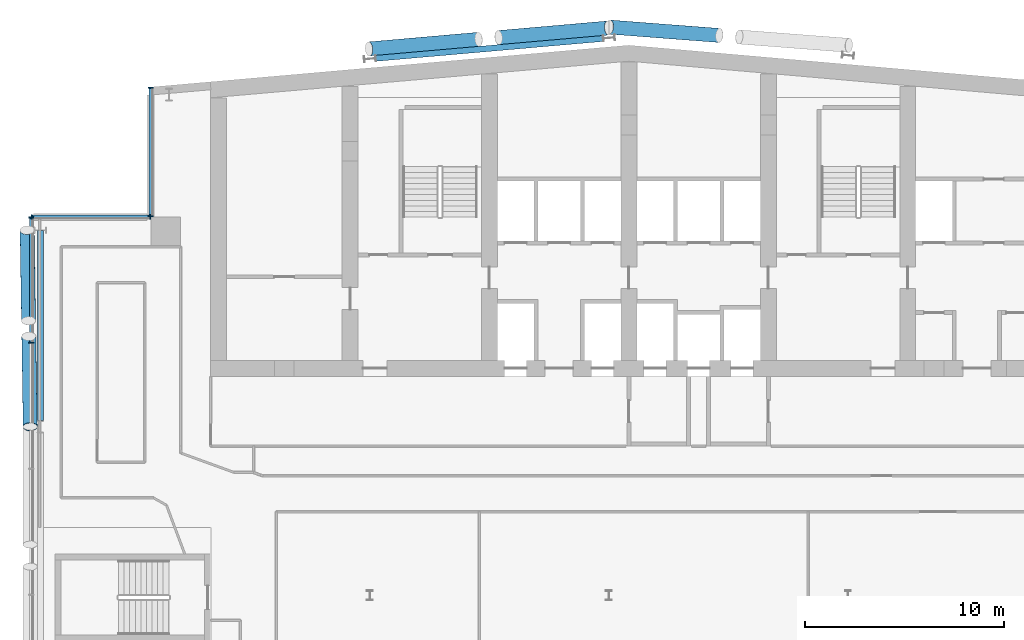
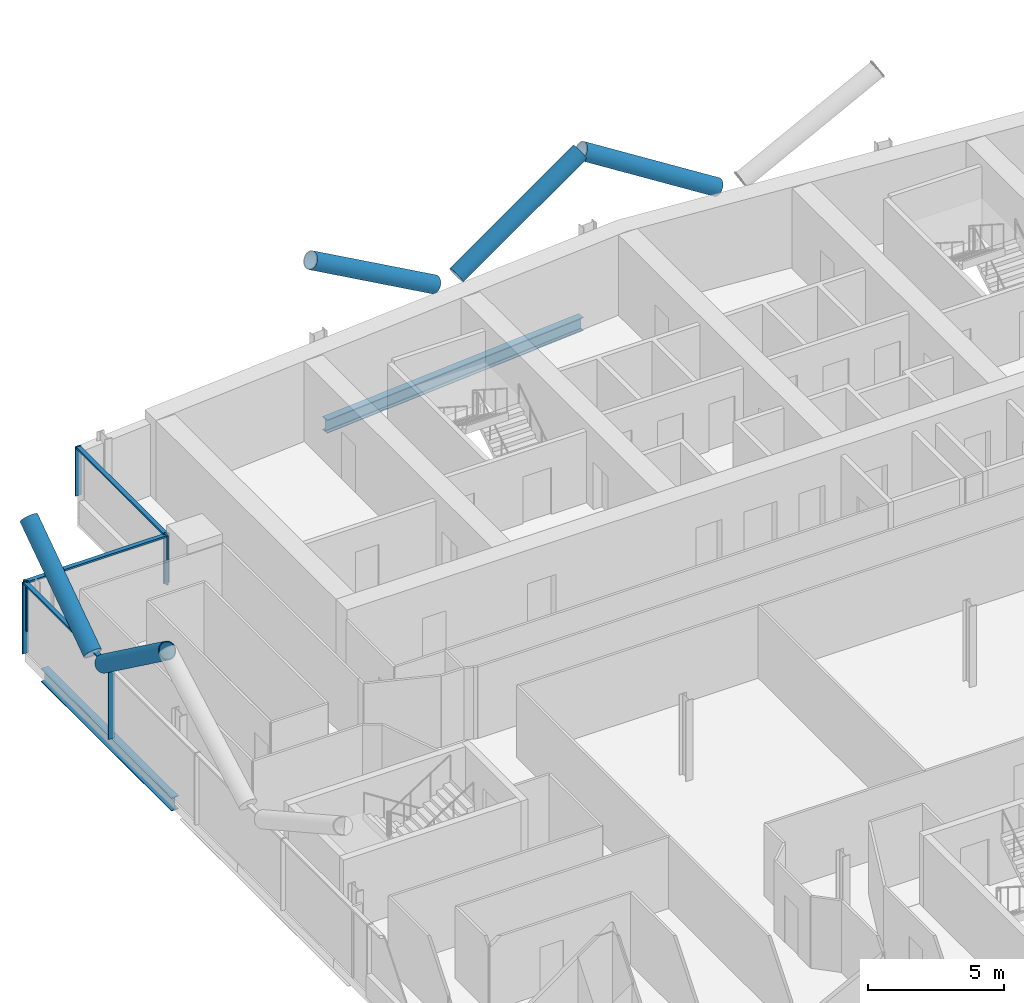
# One storey, part 9 of 28: 14 members, 2 beams, 3 elements without a shape of their own.
"""IFC4 building model written with IfcOpenShell, lengths in metres."""

from ifc_helpers import new_model, si_unit, direction, frame, origin, origin_2d, place, context, subcontext, project, spatial, rectangle, hollow_circle, i_section, extrude, material, material_profile, profile_set, type_object, element, aggregate, save


model = new_model("IFC4")

# Units and contexts
model_context = context("Model", 3, precision=1e-05, world=origin(), true_north=direction((0.0, 1.0)))
body_context = subcontext(model_context, "Body", "Model", "MODEL_VIEW")
ifc_project = project(units=[si_unit("LENGTHUNIT", "METRE"), si_unit("AREAUNIT", "SQUARE_METRE"), si_unit("VOLUMEUNIT", "CUBIC_METRE"), si_unit("PLANEANGLEUNIT", "RADIAN"), si_unit("MASSUNIT", "GRAM", prefix="KILO")], contexts=[model_context])

# Site, building, storey
site_placement = place(None, origin())
site = spatial("IfcSite", under=ifc_project, at=site_placement, CompositionType="ELEMENT")
building_placement = place(site_placement, origin())
building = spatial("IfcBuilding", under=site, at=building_placement, Name="Wharfspan Tower", CompositionType="ELEMENT")
storey_placement = place(building_placement, frame((0.0, 0.0, 187.899902)))
storey = spatial("IfcBuildingStorey", under=building, at=storey_placement, Name="L46", CompositionType="ELEMENT", Elevation=187.899902)

# Beams
ifc_material_1 = material(Name="Steel S355J2", Category="steel")
ifc_material_profile_1 = material_profile(ifc_material_1, i_section(OverallWidth=0.300049, OverallDepth=0.600098, WebThickness=0.015381, FlangeThickness=0.030029, FilletRadius=0.0271, at=origin_2d()))
ifc_profile_set_1 = profile_set([ifc_material_profile_1], Name="Steel S355J2")
beam_type = type_object("IfcBeamType", Name="Edge beam HEB 600", PredefinedType="SPANDREL", material=ifc_profile_set_1)
beam_1_placement = place(storey_placement, frame((35.705078, 50.961426, -0.699951), z_axis=(-0.996194, -0.087158, 0.0), x_axis=(0.087158, -0.996194, 0.0)))
element("IfcBeam", 1, at=beam_1_placement, inside=storey, type_object=beam_type, Name="Edge beam N1 L46 R.2 to R.1", PredefinedType="SPANDREL", context=body_context, shape_type="SweptSolid", body=[
    extrude(i_section(OverallWidth=0.300049, OverallDepth=0.600098, WebThickness=0.015381, FlangeThickness=0.030029, FilletRadius=0.0271, at=origin_2d()), origin(), (0.0, 0.0, 1.0), 11.453857),
])
beam_2_placement = place(storey_placement, frame((7.450439, 41.32666, -0.699951), z_axis=(-5.1e-05, -1.0, 0.0), x_axis=(1.0, -5.1e-05, 0.0)))
element("IfcBeam", 2, at=beam_2_placement, inside=storey, type_object=beam_type, Name="Edge beam W L46 PNRW-H.1 to PW.1", PredefinedType="SPANDREL", context=body_context, shape_type="SweptSolid", body=[
    extrude(i_section(OverallWidth=0.300049, OverallDepth=0.600098, WebThickness=0.015381, FlangeThickness=0.030029, FilletRadius=0.0271, at=origin_2d()), origin(), (0.0, 0.0, 1.0), 9.553955),
])

# Curtain wall, members
ifc_material_2 = material(Name="Aluminium 6063-T6", Category="aluminium")
curtain_wall_type = type_object("IfcCurtainWallType", Name="CURTAIN WALL PROW AND END", PredefinedType="NOTDEFINED", material=ifc_material_2)
curtain_wall_1_placement = place(storey_placement, origin())
curtain_wall_1 = element("IfcCurtainWall", 3, at=curtain_wall_1_placement, inside=storey, type_object=curtain_wall_type, Name="Curtain wall NRW-V", PredefinedType="NOTDEFINED")
ifc_material_profile_2 = material_profile(ifc_material_2, rectangle(XDim=0.23999, YDim=0.060059, at=origin_2d()))
ifc_profile_set_2 = profile_set([ifc_material_profile_2], Name="Aluminium 6063-T6")
member_type_1 = type_object("IfcMemberType", Name="MULLION PROW AND END 60x240", PredefinedType="MULLION", material=ifc_profile_set_2)
member_1_placement = place(storey_placement, frame((13.0, 48.494873, 1.0), z_axis=(0.0, 0.0, 1.0), x_axis=(1.0, 0.0, 0.0)))
member_1 = element("IfcMember", 4, at=member_1_placement, type_object=member_type_1, Name="Curtain wall NRW-V mullion 1", PredefinedType="MULLION", context=body_context, shape_type="SweptSolid", body=[
    extrude(rectangle(XDim=0.23999, YDim=0.060059, at=origin_2d()), origin(), (0.0, 0.0, 1.0), 2.200195),
])
member_2_placement = place(storey_placement, frame((13.0, 42.030029, 1.0), z_axis=(0.0, 0.0, 1.0), x_axis=(1.0, 0.0, 0.0)))
member_2 = element("IfcMember", 5, at=member_2_placement, type_object=member_type_1, Name="Curtain wall NRW-V mullion 2", PredefinedType="MULLION", context=body_context, shape_type="SweptSolid", body=[
    extrude(rectangle(XDim=0.23999, YDim=0.060059, at=origin_2d()), origin(), (0.0, 0.0, 1.0), 2.200195),
])

curtain_wall_2_placement = place(storey_placement, origin())
curtain_wall_2 = element("IfcCurtainWall", 6, at=curtain_wall_2_placement, inside=storey, type_object=curtain_wall_type, Name="Curtain wall NRW-H", PredefinedType="NOTDEFINED")
member_3_placement = place(storey_placement, frame((12.969971, 42.0, 1.0), z_axis=(0.0, 0.0, 1.0), x_axis=(0.0, -1.0, 0.0)))
member_3 = element("IfcMember", 7, at=member_3_placement, type_object=member_type_1, Name="Curtain wall NRW-H mullion 1", PredefinedType="MULLION", context=body_context, shape_type="SweptSolid", body=[
    extrude(rectangle(XDim=0.23999, YDim=0.060059, at=origin_2d()), origin(), (0.0, 0.0, 1.0), 2.200195),
])
member_4_placement = place(storey_placement, frame((7.030029, 42.0, 1.0), z_axis=(0.0, 0.0, 1.0), x_axis=(0.0, -1.0, 0.0)))
member_4 = element("IfcMember", 8, at=member_4_placement, type_object=member_type_1, Name="Curtain wall NRW-H mullion 2", PredefinedType="MULLION", context=body_context, shape_type="SweptSolid", body=[
    extrude(rectangle(XDim=0.23999, YDim=0.060059, at=origin_2d()), origin(), (0.0, 0.0, 1.0), 2.200195),
])

curtain_wall_3_placement = place(storey_placement, origin())
curtain_wall_3 = element("IfcCurtainWall", 9, at=curtain_wall_3_placement, inside=storey, type_object=curtain_wall_type, Name="Curtain wall W", PredefinedType="NOTDEFINED")
member_5_placement = place(storey_placement, frame((7.0, 41.969971, 0.0), z_axis=(0.0, 0.0, 1.0), x_axis=(1.0, 0.0, 0.0)))
member_5 = element("IfcMember", 10, at=member_5_placement, type_object=member_type_1, Name="Curtain wall W mullion 1", PredefinedType="MULLION", context=body_context, shape_type="SweptSolid", body=[
    extrude(rectangle(XDim=0.23999, YDim=0.060059, at=origin_2d()), origin(), (0.0, 0.0, 1.0), 3.200195),
])
member_6_placement = place(storey_placement, frame((7.0, 35.679932, 0.0), z_axis=(0.0, 0.0, 1.0), x_axis=(1.0, 0.0, 0.0)))
member_6 = element("IfcMember", 11, at=member_6_placement, type_object=member_type_1, Name="Curtain wall W mullion 2", PredefinedType="MULLION", context=body_context, shape_type="SweptSolid", body=[
    extrude(rectangle(XDim=0.23999, YDim=0.060059, at=origin_2d()), origin(), (0.0, 0.0, 1.0), 3.200195),
])

# Members
ifc_material_3 = material(Name="Steel S460NH", Category="steel")
ifc_material_profile_3 = material_profile(ifc_material_3, hollow_circle(Radius=0.355469, WallThickness=0.035889, at=origin_2d()))
ifc_profile_set_3 = profile_set([ifc_material_profile_3], Name="Steel S460NH")
member_type_2 = type_object("IfcMemberType", Name="Mega brace CHS 711x36", PredefinedType="BRACE", material=ifc_profile_set_3)
member_7_placement = place(storey_placement, frame((6.872803, 36.009033, 3.185303), z_axis=(0.01285, -0.807732, 0.58941), x_axis=(0.999874, 0.015906, -1e-06)))
element("IfcMember", 12, at=member_7_placement, inside=storey, type_object=member_type_2, Name="Mega brace W4 L46 part 2", PredefinedType="BRACE", context=body_context, shape_type="SweptSolid", body=[
    extrude(hollow_circle(Radius=0.355469, WallThickness=0.035889, at=origin_2d()), origin(), (0.0, 0.0, 1.0), 5.623779),
])
member_8_placement = place(storey_placement, frame((6.860352, 36.790771, 3.185303), z_axis=(-0.012851, 0.807716, 0.589431), x_axis=(-0.999873, -0.015909, 1e-06)))
element("IfcMember", 13, at=member_8_placement, inside=storey, type_object=member_type_2, Name="Mega brace W4 L46 part 4", PredefinedType="BRACE", context=body_context, shape_type="SweptSolid", body=[
    extrude(hollow_circle(Radius=0.355469, WallThickness=0.035889, at=origin_2d()), origin(), (0.0, 0.0, 1.0), 5.623535),
])
member_9_placement = place(storey_placement, frame((30.461426, 51.00708, 3.203369), z_axis=(0.85511, 0.074808, 0.513021), x_axis=(-0.08715, 0.996195, -1e-06)))
element("IfcMember", 14, at=member_9_placement, inside=storey, type_object=member_type_2, Name="Mega brace N7 L46 part 2", PredefinedType="BRACE", context=body_context, shape_type="SweptSolid", body=[
    extrude(hollow_circle(Radius=0.355469, WallThickness=0.035889, at=origin_2d()), origin(), (0.0, 0.0, 1.0), 6.426025),
])
member_10_placement = place(storey_placement, frame((29.450928, 50.918701, 3.203369), z_axis=(-0.8551, -0.074811, 0.513037), x_axis=(0.087154, -0.996196, -2e-06)))
element("IfcMember", 15, at=member_10_placement, inside=storey, type_object=member_type_2, Name="Mega brace N7 L46 part 4", PredefinedType="BRACE", context=body_context, shape_type="SweptSolid", body=[
    extrude(hollow_circle(Radius=0.355469, WallThickness=0.035889, at=origin_2d()), origin(), (0.0, 0.0, 1.0), 6.425781),
])
member_11_placement = place(storey_placement, frame((41.533447, 51.114502, 3.203125), z_axis=(-0.855612, 0.065363, 0.513474), x_axis=(-0.07617, -0.997093, 2e-06)))
element("IfcMember", 16, at=member_11_placement, inside=storey, type_object=member_type_2, Name="Mega brace N8 L46 part 4", PredefinedType="BRACE", context=body_context, shape_type="SweptSolid", body=[
    extrude(hollow_circle(Radius=0.355469, WallThickness=0.035889, at=origin_2d()), origin(), (0.0, 0.0, 1.0), 6.420654),
])

# Member
ifc_material_profile_4 = material_profile(ifc_material_2, rectangle(XDim=0.179932, YDim=0.080078, at=origin_2d()))
ifc_profile_set_4 = profile_set([ifc_material_profile_4], Name="Aluminium 6063-T6")
member_type_3 = type_object("IfcMemberType", Name="TRANSOM PROW AND END 80x180", PredefinedType="USERDEFINED", material=ifc_profile_set_4)
member_12_placement = place(storey_placement, frame((13.0, 48.464844, 3.160156), z_axis=(0.0, -1.0, 0.0), x_axis=(1.0, 0.0, 0.0)))
member_12 = element("IfcMember", 17, at=member_12_placement, type_object=member_type_3, Name="Curtain wall NRW-V transom 1", ObjectType="TRANSOM", PredefinedType="USERDEFINED", context=body_context, shape_type="SweptSolid", body=[
    extrude(rectangle(XDim=0.179932, YDim=0.080078, at=origin_2d()), origin(), (0.0, 0.0, 1.0), 6.404785),
])

aggregate(curtain_wall_1, [member_1, member_2, member_12])

member_13_placement = place(storey_placement, frame((12.939941, 42.0, 3.160156), z_axis=(-1.0, 0.0, 0.0), x_axis=(0.0, -1.0, 0.0)))
member_13 = element("IfcMember", 18, at=member_13_placement, type_object=member_type_3, Name="Curtain wall NRW-H transom 1", ObjectType="TRANSOM", PredefinedType="USERDEFINED", context=body_context, shape_type="SweptSolid", body=[
    extrude(rectangle(XDim=0.179932, YDim=0.080078, at=origin_2d()), origin(), (0.0, 0.0, 1.0), 5.879883),
])

aggregate(curtain_wall_2, [member_3, member_4, member_13])

member_14_placement = place(storey_placement, frame((7.0, 41.939941, 3.160156), z_axis=(0.0, -1.0, 0.0), x_axis=(1.0, 0.0, 0.0)))
member_14 = element("IfcMember", 19, at=member_14_placement, type_object=member_type_3, Name="Curtain wall W transom 1", ObjectType="TRANSOM", PredefinedType="USERDEFINED", context=body_context, shape_type="SweptSolid", body=[
    extrude(rectangle(XDim=0.179932, YDim=0.080078, at=origin_2d()), origin(), (0.0, 0.0, 1.0), 6.22998),
])

aggregate(curtain_wall_3, [member_5, member_6, member_14])

save(model, "model.ifc")
